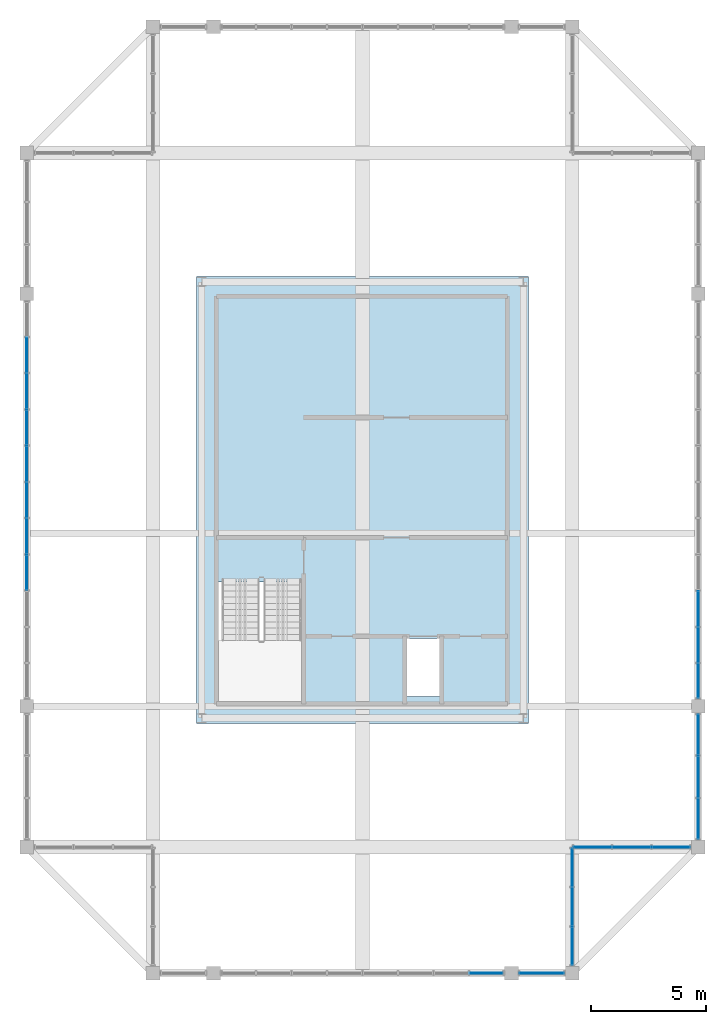
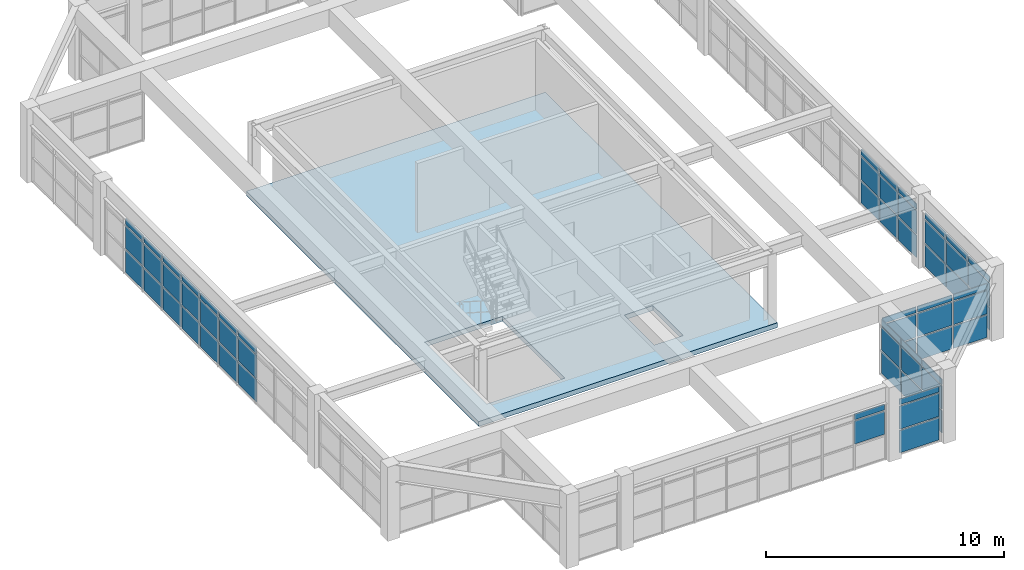
# One storey, part 24 of 28: 62 plates, 1 slab, 7 elements without a shape of their own.
"""IFC4 building model written with IfcOpenShell, lengths in metres."""

from ifc_helpers import new_model, si_unit, direction, frame, origin, origin_2d, place, context, subcontext, project, spatial, polyline, rectangle, outline, extrude, source, transform, mapped, material, layer, layer_set, type_object, element, aggregate, save


model = new_model("IFC4")

# Units and contexts
model_context = context("Model", 3, precision=1e-05, world=origin(), true_north=direction((0.0, 1.0)))
body_context = subcontext(model_context, "Body", "Model", "MODEL_VIEW")
ifc_project = project(units=[si_unit("LENGTHUNIT", "METRE"), si_unit("AREAUNIT", "SQUARE_METRE"), si_unit("VOLUMEUNIT", "CUBIC_METRE"), si_unit("PLANEANGLEUNIT", "RADIAN"), si_unit("MASSUNIT", "GRAM", prefix="KILO")], contexts=[model_context])

# Site, building, storey
site_placement = place(None, origin())
site = spatial("IfcSite", under=ifc_project, at=site_placement, CompositionType="ELEMENT")
building_placement = place(site_placement, origin())
building = spatial("IfcBuilding", under=site, at=building_placement, Name="Saelheon Loggia Tower", CompositionType="ELEMENT")
storey_placement = place(building_placement, frame((0.0, 0.0, 271.199951171875)))
storey = spatial("IfcBuildingStorey", under=building, at=storey_placement, Name="CR6", CompositionType="ELEMENT", Elevation=271.199951171875)

# Slab
ifc_material_1 = material(Name="Concrete C45/55", Category="concrete")
ifc_layer_1 = layer(ifc_material_1, 0.25)
ifc_layer_set_1 = layer_set([ifc_layer_1], Name="Concrete C45/55")
slab_type = type_object("IfcSlabType", Name="Slab_CrownDeck_250", PredefinedType="FLOOR", material=ifc_layer_set_1)
slab_placement = place(storey_placement, frame((0.0, 0.0, -0.25)))
element("IfcSlab", 1, at=slab_placement, inside=storey, type_object=slab_type, Name="CR6 Crown Mechanical Plant Platform", PredefinedType="FLOOR", context=body_context, shape_type="SweptSolid", body=[
    extrude(outline(polyline([(30.75, 17.25), (45.25, 17.25), (45.25, 36.75), (30.75, 36.75), (30.75, 17.25)]), holes=[polyline([(31.699951171875, 23.429931640625), (31.699951171875, 18.199951171875), (35.47998046875, 18.199951171875), (35.47998046875, 23.429931640625), (31.699951171875, 23.429931640625)]), polyline([(39.949951171875, 18.419921875), (41.35009765625, 18.419921875), (41.35009765625, 20.949951171875), (39.949951171875, 20.949951171875), (39.949951171875, 18.419921875)])]), origin(), (0.0, 0.0, 1.0), 0.25),
])

# Curtain wall, plates
ifc_material_2 = material(Name="Bronze-Anodised Aluminium and Fritted Ceramic Screen", Category="aluminium")
ifc_layer_2 = layer(ifc_material_2, 0.219970703125)
ifc_layer_set_2 = layer_set([ifc_layer_2], Name="Bronze-Anodised Aluminium and Fritted Ceramic Screen")
curtain_wall_type = type_object("IfcCurtainWallType", Name="CW_CrownScreen", PredefinedType="NOTDEFINED", material=ifc_layer_set_2)
curtain_wall_1_placement = place(storey_placement, origin())
curtain_wall_1 = element("IfcCurtainWall", 2, at=curtain_wall_1_placement, inside=storey, type_object=curtain_wall_type, Name="CR6 Crown Screen Curtain Wall 0-3", PredefinedType="NOTDEFINED")
ifc_material_3 = material(Name="Bronze Ceramic Fritted Spandrel Panel", Category="aluminium")
ifc_layer_3 = layer(ifc_material_3, 0.0380859375)
ifc_layer_set_3 = layer_set([ifc_layer_3], Name="Bronze Ceramic Fritted Spandrel Panel")
plate_type = type_object("IfcPlateType", Name="CW_CrownScreen_Panel", PredefinedType="CURTAIN_PANEL", material=ifc_layer_set_3)
shared_shape_1 = source(origin(), body_context, "Body", "SweptSolid", [
    extrude(rectangle(XDim=1.909912109375, YDim=0.0380859375, at=origin_2d()), origin(), (0.0, 0.0, 1.0), 1.14501953125),
])
plate_1_placement = place(storey_placement, frame((45.824951171875, 6.35009765625, 0.070068359375), z_axis=(0.0, 0.0, 1.0), x_axis=(1.0, 0.0, 0.0)))
plate_1 = element("IfcPlate", 3, at=plate_1_placement, type_object=plate_type, Name="CW6 panel 1.1", PredefinedType="CURTAIN_PANEL", context=body_context, shape_type="MappedRepresentation", body=[
    mapped(shared_shape_1, transform((0.0, 0.0, 0.0), scale=1.0)),
])
shared_shape_2 = source(origin(), body_context, "Body", "SweptSolid", [
    extrude(rectangle(XDim=1.909912109375, YDim=0.0380859375, at=origin_2d()), origin(), (0.0, 0.0, 1.0), 1.179931640625),
])
plate_2_placement = place(storey_placement, frame((45.824951171875, 6.35009765625, 1.28515625), z_axis=(0.0, 0.0, 1.0), x_axis=(1.0, 0.0, 0.0)))
plate_2 = element("IfcPlate", 4, at=plate_2_placement, type_object=plate_type, Name="CW6 panel 1.2", PredefinedType="CURTAIN_PANEL", context=body_context, shape_type="MappedRepresentation", body=[
    mapped(shared_shape_2, transform((0.0, 0.0, 0.0), scale=1.0)),
])
shared_shape_3 = source(origin(), body_context, "Body", "SweptSolid", [
    extrude(rectangle(XDim=1.909912109375, YDim=0.0380859375, at=origin_2d()), origin(), (0.0, 0.0, 1.0), 0.294921875),
])
plate_3_placement = place(storey_placement, frame((45.824951171875, 6.35009765625, 2.53515625), z_axis=(0.0, 0.0, 1.0), x_axis=(1.0, 0.0, 0.0)))
plate_3 = element("IfcPlate", 5, at=plate_3_placement, type_object=plate_type, Name="CW6 panel 1.3", PredefinedType="CURTAIN_PANEL", context=body_context, shape_type="MappedRepresentation", body=[
    mapped(shared_shape_3, transform((0.0, 0.0, 0.0), scale=1.0)),
])
aggregate(curtain_wall_1, [plate_1, plate_2, plate_3])

curtain_wall_2_placement = place(storey_placement, origin())
curtain_wall_2 = element("IfcCurtainWall", 6, at=curtain_wall_2_placement, inside=storey, type_object=curtain_wall_type, Name="CR6 Crown Screen Curtain Wall 0-2", PredefinedType="NOTDEFINED")
shared_shape_4 = source(origin(), body_context, "Body", "SweptSolid", [
    extrude(rectangle(XDim=1.445068359375, YDim=0.0380859375, at=origin_2d()), origin(), (0.0, 0.0, 1.0), 1.179931640625),
])
plate_4_placement = place(storey_placement, frame((43.407470703125, 6.35009765625, 1.28515625), z_axis=(0.0, 0.0, 1.0), x_axis=(1.0, 0.0, 0.0)))
plate_4 = element("IfcPlate", 7, at=plate_4_placement, type_object=plate_type, Name="CW6 panel 8.2", PredefinedType="CURTAIN_PANEL", context=body_context, shape_type="MappedRepresentation", body=[
    mapped(shared_shape_4, transform((0.0, 0.0, 0.0), scale=1.0)),
])
shared_shape_5 = source(origin(), body_context, "Body", "SweptSolid", [
    extrude(rectangle(XDim=1.445068359375, YDim=0.0380859375, at=origin_2d()), origin(), (0.0, 0.0, 1.0), 0.294921875),
])
plate_5_placement = place(storey_placement, frame((43.407470703125, 6.35009765625, 2.53515625), z_axis=(0.0, 0.0, 1.0), x_axis=(1.0, 0.0, 0.0)))
plate_5 = element("IfcPlate", 8, at=plate_5_placement, type_object=plate_type, Name="CW6 panel 8.3", PredefinedType="CURTAIN_PANEL", context=body_context, shape_type="MappedRepresentation", body=[
    mapped(shared_shape_5, transform((0.0, 0.0, 0.0), scale=1.0)),
])
aggregate(curtain_wall_2, [plate_4, plate_5])

curtain_wall_3_placement = place(storey_placement, origin())
curtain_wall_3 = element("IfcCurtainWall", 9, at=curtain_wall_3_placement, inside=storey, type_object=curtain_wall_type, Name="CR6 Crown Screen Curtain Wall 1-1", PredefinedType="NOTDEFINED")
shared_shape_6 = source(origin(), body_context, "Body", "SweptSolid", [
    extrude(rectangle(XDim=1.62841796875, YDim=0.0380859375, at=origin_2d()), origin(), (0.0, 0.0, 1.0), 1.14501953125),
])
plate_6_placement = place(storey_placement, frame((47.14990234375, 7.5341796875, 0.070068359375), z_axis=(0.0, 0.0, 1.0), x_axis=(0.0, 1.0, 0.0)))
plate_6 = element("IfcPlate", 10, at=plate_6_placement, type_object=plate_type, Name="CW6 panel 1.1", PredefinedType="CURTAIN_PANEL", context=body_context, shape_type="MappedRepresentation", body=[
    mapped(shared_shape_6, transform((0.0, 0.0, 0.0), scale=1.0)),
])
plate_7_placement = place(storey_placement, frame((47.14990234375, 10.9658203125, 0.070068359375), z_axis=(0.0, 0.0, 1.0), x_axis=(0.0, 1.0, 0.0)))
plate_7 = element("IfcPlate", 11, at=plate_7_placement, type_object=plate_type, Name="CW6 panel 3.1", PredefinedType="CURTAIN_PANEL", context=body_context, shape_type="MappedRepresentation", body=[
    mapped(shared_shape_6, transform((0.0, 0.0, 0.0), scale=1.0)),
])

curtain_wall_4_placement = place(storey_placement, origin())
curtain_wall_4 = element("IfcCurtainWall", 12, at=curtain_wall_4_placement, inside=storey, type_object=curtain_wall_type, Name="CR6 Crown Screen Curtain Wall 2-1", PredefinedType="NOTDEFINED")
plate_8_placement = place(storey_placement, frame((48.0341796875, 11.85009765625, 0.070068359375), z_axis=(0.0, 0.0, 1.0), x_axis=(1.0, 0.0, 0.0)))
plate_8 = element("IfcPlate", 13, at=plate_8_placement, type_object=plate_type, Name="CW6 panel 1.1", PredefinedType="CURTAIN_PANEL", context=body_context, shape_type="MappedRepresentation", body=[
    mapped(shared_shape_6, transform((0.0, 0.0, 0.0), scale=1.0)),
])
plate_9_placement = place(storey_placement, frame((51.4658203125, 11.85009765625, 0.070068359375), z_axis=(0.0, 0.0, 1.0), x_axis=(1.0, 0.0, 0.0)))
plate_9 = element("IfcPlate", 14, at=plate_9_placement, type_object=plate_type, Name="CW6 panel 3.1", PredefinedType="CURTAIN_PANEL", context=body_context, shape_type="MappedRepresentation", body=[
    mapped(shared_shape_6, transform((0.0, 0.0, 0.0), scale=1.0)),
])

# Plate
shared_shape_7 = source(origin(), body_context, "Body", "SweptSolid", [
    extrude(rectangle(XDim=1.62841796875, YDim=0.0380859375, at=origin_2d()), origin(), (0.0, 0.0, 1.0), 1.179931640625),
])
plate_10_placement = place(storey_placement, frame((47.14990234375, 7.5341796875, 1.28515625), z_axis=(0.0, 0.0, 1.0), x_axis=(0.0, 1.0, 0.0)))
plate_10 = element("IfcPlate", 15, at=plate_10_placement, type_object=plate_type, Name="CW6 panel 1.2", PredefinedType="CURTAIN_PANEL", context=body_context, shape_type="MappedRepresentation", body=[
    mapped(shared_shape_7, transform((0.0, 0.0, 0.0), scale=1.0)),
])

plate_11_placement = place(storey_placement, frame((47.14990234375, 10.9658203125, 1.28515625), z_axis=(0.0, 0.0, 1.0), x_axis=(0.0, 1.0, 0.0)))
plate_11 = element("IfcPlate", 16, at=plate_11_placement, type_object=plate_type, Name="CW6 panel 3.2", PredefinedType="CURTAIN_PANEL", context=body_context, shape_type="MappedRepresentation", body=[
    mapped(shared_shape_7, transform((0.0, 0.0, 0.0), scale=1.0)),
])

plate_12_placement = place(storey_placement, frame((48.0341796875, 11.85009765625, 1.28515625), z_axis=(0.0, 0.0, 1.0), x_axis=(1.0, 0.0, 0.0)))
plate_12 = element("IfcPlate", 17, at=plate_12_placement, type_object=plate_type, Name="CW6 panel 1.2", PredefinedType="CURTAIN_PANEL", context=body_context, shape_type="MappedRepresentation", body=[
    mapped(shared_shape_7, transform((0.0, 0.0, 0.0), scale=1.0)),
])

plate_13_placement = place(storey_placement, frame((51.4658203125, 11.85009765625, 1.28515625), z_axis=(0.0, 0.0, 1.0), x_axis=(1.0, 0.0, 0.0)))
plate_13 = element("IfcPlate", 18, at=plate_13_placement, type_object=plate_type, Name="CW6 panel 3.2", PredefinedType="CURTAIN_PANEL", context=body_context, shape_type="MappedRepresentation", body=[
    mapped(shared_shape_7, transform((0.0, 0.0, 0.0), scale=1.0)),
])

shared_shape_8 = source(origin(), body_context, "Body", "SweptSolid", [
    extrude(rectangle(XDim=1.62841796875, YDim=0.0380859375, at=origin_2d()), origin(), (0.0, 0.0, 1.0), 0.294921875),
])
plate_14_placement = place(storey_placement, frame((47.14990234375, 7.5341796875, 2.53515625), z_axis=(0.0, 0.0, 1.0), x_axis=(0.0, 1.0, 0.0)))
plate_14 = element("IfcPlate", 19, at=plate_14_placement, type_object=plate_type, Name="CW6 panel 1.3", PredefinedType="CURTAIN_PANEL", context=body_context, shape_type="MappedRepresentation", body=[
    mapped(shared_shape_8, transform((0.0, 0.0, 0.0), scale=1.0)),
])

plate_15_placement = place(storey_placement, frame((47.14990234375, 10.9658203125, 2.53515625), z_axis=(0.0, 0.0, 1.0), x_axis=(0.0, 1.0, 0.0)))
plate_15 = element("IfcPlate", 20, at=plate_15_placement, type_object=plate_type, Name="CW6 panel 3.3", PredefinedType="CURTAIN_PANEL", context=body_context, shape_type="MappedRepresentation", body=[
    mapped(shared_shape_8, transform((0.0, 0.0, 0.0), scale=1.0)),
])

plate_16_placement = place(storey_placement, frame((48.0341796875, 11.85009765625, 2.53515625), z_axis=(0.0, 0.0, 1.0), x_axis=(1.0, 0.0, 0.0)))
plate_16 = element("IfcPlate", 21, at=plate_16_placement, type_object=plate_type, Name="CW6 panel 1.3", PredefinedType="CURTAIN_PANEL", context=body_context, shape_type="MappedRepresentation", body=[
    mapped(shared_shape_8, transform((0.0, 0.0, 0.0), scale=1.0)),
])

plate_17_placement = place(storey_placement, frame((51.4658203125, 11.85009765625, 2.53515625), z_axis=(0.0, 0.0, 1.0), x_axis=(1.0, 0.0, 0.0)))
plate_17 = element("IfcPlate", 22, at=plate_17_placement, type_object=plate_type, Name="CW6 panel 3.3", PredefinedType="CURTAIN_PANEL", context=body_context, shape_type="MappedRepresentation", body=[
    mapped(shared_shape_8, transform((0.0, 0.0, 0.0), scale=1.0)),
])

shared_shape_9 = source(origin(), body_context, "Body", "SweptSolid", [
    extrude(rectangle(XDim=1.663330078125, YDim=0.0380859375, at=origin_2d()), origin(), (0.0, 0.0, 1.0), 1.14501953125),
])
plate_18_placement = place(storey_placement, frame((47.14990234375, 9.25, 0.070068359375), z_axis=(0.0, 0.0, 1.0), x_axis=(0.0, 1.0, 0.0)))
plate_18 = element("IfcPlate", 23, at=plate_18_placement, type_object=plate_type, Name="CW6 panel 2.1", PredefinedType="CURTAIN_PANEL", context=body_context, shape_type="MappedRepresentation", body=[
    mapped(shared_shape_9, transform((0.0, 0.0, 0.0), scale=1.0)),
])

plate_19_placement = place(storey_placement, frame((49.75, 11.85009765625, 0.070068359375), z_axis=(0.0, 0.0, 1.0), x_axis=(1.0, 0.0, 0.0)))
plate_19 = element("IfcPlate", 24, at=plate_19_placement, type_object=plate_type, Name="CW6 panel 2.1", PredefinedType="CURTAIN_PANEL", context=body_context, shape_type="MappedRepresentation", body=[
    mapped(shared_shape_9, transform((0.0, 0.0, 0.0), scale=1.0)),
])

shared_shape_10 = source(origin(), body_context, "Body", "SweptSolid", [
    extrude(rectangle(XDim=1.663330078125, YDim=0.0380859375, at=origin_2d()), origin(), (0.0, 0.0, 1.0), 1.179931640625),
])
plate_20_placement = place(storey_placement, frame((47.14990234375, 9.25, 1.28515625), z_axis=(0.0, 0.0, 1.0), x_axis=(0.0, 1.0, 0.0)))
plate_20 = element("IfcPlate", 25, at=plate_20_placement, type_object=plate_type, Name="CW6 panel 2.2", PredefinedType="CURTAIN_PANEL", context=body_context, shape_type="MappedRepresentation", body=[
    mapped(shared_shape_10, transform((0.0, 0.0, 0.0), scale=1.0)),
])

plate_21_placement = place(storey_placement, frame((49.75, 11.85009765625, 1.28515625), z_axis=(0.0, 0.0, 1.0), x_axis=(1.0, 0.0, 0.0)))
plate_21 = element("IfcPlate", 26, at=plate_21_placement, type_object=plate_type, Name="CW6 panel 2.2", PredefinedType="CURTAIN_PANEL", context=body_context, shape_type="MappedRepresentation", body=[
    mapped(shared_shape_10, transform((0.0, 0.0, 0.0), scale=1.0)),
])

shared_shape_11 = source(origin(), body_context, "Body", "SweptSolid", [
    extrude(rectangle(XDim=1.663330078125, YDim=0.0380859375, at=origin_2d()), origin(), (0.0, 0.0, 1.0), 0.294921875),
])
plate_22_placement = place(storey_placement, frame((47.14990234375, 9.25, 2.53515625), z_axis=(0.0, 0.0, 1.0), x_axis=(0.0, 1.0, 0.0)))
plate_22 = element("IfcPlate", 27, at=plate_22_placement, type_object=plate_type, Name="CW6 panel 2.3", PredefinedType="CURTAIN_PANEL", context=body_context, shape_type="MappedRepresentation", body=[
    mapped(shared_shape_11, transform((0.0, 0.0, 0.0), scale=1.0)),
])

aggregate(curtain_wall_3, [plate_6, plate_10, plate_14, plate_18, plate_20, plate_22, plate_7, plate_11, plate_15])

plate_23_placement = place(storey_placement, frame((49.75, 11.85009765625, 2.53515625), z_axis=(0.0, 0.0, 1.0), x_axis=(1.0, 0.0, 0.0)))
plate_23 = element("IfcPlate", 28, at=plate_23_placement, type_object=plate_type, Name="CW6 panel 2.3", PredefinedType="CURTAIN_PANEL", context=body_context, shape_type="MappedRepresentation", body=[
    mapped(shared_shape_11, transform((0.0, 0.0, 0.0), scale=1.0)),
])

aggregate(curtain_wall_4, [plate_8, plate_12, plate_16, plate_19, plate_21, plate_23, plate_9, plate_13, plate_17])

# Curtain wall, plates
curtain_wall_5_placement = place(storey_placement, origin())
curtain_wall_5 = element("IfcCurtainWall", 29, at=curtain_wall_5_placement, inside=storey, type_object=curtain_wall_type, Name="CR6 Crown Screen Curtain Wall 3-1", PredefinedType="NOTDEFINED")
shared_shape_12 = source(origin(), body_context, "Body", "SweptSolid", [
    extrude(rectangle(XDim=1.7451171875, YDim=0.0380859375, at=origin_2d()), origin(), (0.0, 0.0, 1.0), 1.14501953125),
])
plate_24_placement = place(storey_placement, frame((52.64990234375, 13.092529296875, 0.070068359375), z_axis=(0.0, 0.0, 1.0), x_axis=(0.0, 1.0, 0.0)))
plate_24 = element("IfcPlate", 30, at=plate_24_placement, type_object=plate_type, Name="CW6 panel 1.1", PredefinedType="CURTAIN_PANEL", context=body_context, shape_type="MappedRepresentation", body=[
    mapped(shared_shape_12, transform((0.0, 0.0, 0.0), scale=1.0)),
])
plate_25_placement = place(storey_placement, frame((52.64990234375, 16.757568359375, 0.070068359375), z_axis=(0.0, 0.0, 1.0), x_axis=(0.0, 1.0, 0.0)))
plate_25 = element("IfcPlate", 31, at=plate_25_placement, type_object=plate_type, Name="CW6 panel 3.1", PredefinedType="CURTAIN_PANEL", context=body_context, shape_type="MappedRepresentation", body=[
    mapped(shared_shape_12, transform((0.0, 0.0, 0.0), scale=1.0)),
])
shared_shape_13 = source(origin(), body_context, "Body", "SweptSolid", [
    extrude(rectangle(XDim=1.7451171875, YDim=0.0380859375, at=origin_2d()), origin(), (0.0, 0.0, 1.0), 1.179931640625),
])
plate_26_placement = place(storey_placement, frame((52.64990234375, 13.092529296875, 1.28515625), z_axis=(0.0, 0.0, 1.0), x_axis=(0.0, 1.0, 0.0)))
plate_26 = element("IfcPlate", 32, at=plate_26_placement, type_object=plate_type, Name="CW6 panel 1.2", PredefinedType="CURTAIN_PANEL", context=body_context, shape_type="MappedRepresentation", body=[
    mapped(shared_shape_13, transform((0.0, 0.0, 0.0), scale=1.0)),
])
plate_27_placement = place(storey_placement, frame((52.64990234375, 16.757568359375, 1.28515625), z_axis=(0.0, 0.0, 1.0), x_axis=(0.0, 1.0, 0.0)))
plate_27 = element("IfcPlate", 33, at=plate_27_placement, type_object=plate_type, Name="CW6 panel 3.2", PredefinedType="CURTAIN_PANEL", context=body_context, shape_type="MappedRepresentation", body=[
    mapped(shared_shape_13, transform((0.0, 0.0, 0.0), scale=1.0)),
])
shared_shape_14 = source(origin(), body_context, "Body", "SweptSolid", [
    extrude(rectangle(XDim=1.7451171875, YDim=0.0380859375, at=origin_2d()), origin(), (0.0, 0.0, 1.0), 0.294921875),
])
plate_28_placement = place(storey_placement, frame((52.64990234375, 13.092529296875, 2.53515625), z_axis=(0.0, 0.0, 1.0), x_axis=(0.0, 1.0, 0.0)))
plate_28 = element("IfcPlate", 34, at=plate_28_placement, type_object=plate_type, Name="CW6 panel 1.3", PredefinedType="CURTAIN_PANEL", context=body_context, shape_type="MappedRepresentation", body=[
    mapped(shared_shape_14, transform((0.0, 0.0, 0.0), scale=1.0)),
])
plate_29_placement = place(storey_placement, frame((52.64990234375, 16.757568359375, 2.53515625), z_axis=(0.0, 0.0, 1.0), x_axis=(0.0, 1.0, 0.0)))
plate_29 = element("IfcPlate", 35, at=plate_29_placement, type_object=plate_type, Name="CW6 panel 3.3", PredefinedType="CURTAIN_PANEL", context=body_context, shape_type="MappedRepresentation", body=[
    mapped(shared_shape_14, transform((0.0, 0.0, 0.0), scale=1.0)),
])
shared_shape_15 = source(origin(), body_context, "Body", "SweptSolid", [
    extrude(rectangle(XDim=1.780029296875, YDim=0.0380859375, at=origin_2d()), origin(), (0.0, 0.0, 1.0), 1.14501953125),
])
plate_30_placement = place(storey_placement, frame((52.64990234375, 14.925048828125, 0.070068359375), z_axis=(0.0, 0.0, 1.0), x_axis=(0.0, 1.0, 0.0)))
plate_30 = element("IfcPlate", 36, at=plate_30_placement, type_object=plate_type, Name="CW6 panel 2.1", PredefinedType="CURTAIN_PANEL", context=body_context, shape_type="MappedRepresentation", body=[
    mapped(shared_shape_15, transform((0.0, 0.0, 0.0), scale=1.0)),
])
shared_shape_16 = source(origin(), body_context, "Body", "SweptSolid", [
    extrude(rectangle(XDim=1.780029296875, YDim=0.0380859375, at=origin_2d()), origin(), (0.0, 0.0, 1.0), 1.179931640625),
])
plate_31_placement = place(storey_placement, frame((52.64990234375, 14.925048828125, 1.28515625), z_axis=(0.0, 0.0, 1.0), x_axis=(0.0, 1.0, 0.0)))
plate_31 = element("IfcPlate", 37, at=plate_31_placement, type_object=plate_type, Name="CW6 panel 2.2", PredefinedType="CURTAIN_PANEL", context=body_context, shape_type="MappedRepresentation", body=[
    mapped(shared_shape_16, transform((0.0, 0.0, 0.0), scale=1.0)),
])
shared_shape_17 = source(origin(), body_context, "Body", "SweptSolid", [
    extrude(rectangle(XDim=1.780029296875, YDim=0.0380859375, at=origin_2d()), origin(), (0.0, 0.0, 1.0), 0.294921875),
])
plate_32_placement = place(storey_placement, frame((52.64990234375, 14.925048828125, 2.53515625), z_axis=(0.0, 0.0, 1.0), x_axis=(0.0, 1.0, 0.0)))
plate_32 = element("IfcPlate", 38, at=plate_32_placement, type_object=plate_type, Name="CW6 panel 2.3", PredefinedType="CURTAIN_PANEL", context=body_context, shape_type="MappedRepresentation", body=[
    mapped(shared_shape_17, transform((0.0, 0.0, 0.0), scale=1.0)),
])
aggregate(curtain_wall_5, [plate_24, plate_26, plate_28, plate_30, plate_31, plate_32, plate_25, plate_27, plate_29])

curtain_wall_6_placement = place(storey_placement, origin())
curtain_wall_6 = element("IfcCurtainWall", 39, at=curtain_wall_6_placement, inside=storey, type_object=curtain_wall_type, Name="CR6 Crown Screen Curtain Wall 3-2", PredefinedType="NOTDEFINED")
shared_shape_18 = source(origin(), body_context, "Body", "SweptSolid", [
    extrude(rectangle(XDim=1.476806640625, YDim=0.0380859375, at=origin_2d()), origin(), (0.0, 0.0, 1.0), 1.14501953125),
])
plate_33_placement = place(storey_placement, frame((52.64990234375, 19.1083984375, 0.070068359375), z_axis=(0.0, 0.0, 1.0), x_axis=(0.0, 1.0, 0.0)))
plate_33 = element("IfcPlate", 40, at=plate_33_placement, type_object=plate_type, Name="CW6 panel 1.1", PredefinedType="CURTAIN_PANEL", context=body_context, shape_type="MappedRepresentation", body=[
    mapped(shared_shape_18, transform((0.0, 0.0, 0.0), scale=1.0)),
])
shared_shape_19 = source(origin(), body_context, "Body", "SweptSolid", [
    extrude(rectangle(XDim=1.476806640625, YDim=0.0380859375, at=origin_2d()), origin(), (0.0, 0.0, 1.0), 1.179931640625),
])
plate_34_placement = place(storey_placement, frame((52.64990234375, 19.1083984375, 1.28515625), z_axis=(0.0, 0.0, 1.0), x_axis=(0.0, 1.0, 0.0)))
plate_34 = element("IfcPlate", 41, at=plate_34_placement, type_object=plate_type, Name="CW6 panel 1.2", PredefinedType="CURTAIN_PANEL", context=body_context, shape_type="MappedRepresentation", body=[
    mapped(shared_shape_19, transform((0.0, 0.0, 0.0), scale=1.0)),
])
shared_shape_20 = source(origin(), body_context, "Body", "SweptSolid", [
    extrude(rectangle(XDim=1.476806640625, YDim=0.0380859375, at=origin_2d()), origin(), (0.0, 0.0, 1.0), 0.294921875),
])
plate_35_placement = place(storey_placement, frame((52.64990234375, 19.1083984375, 2.53515625), z_axis=(0.0, 0.0, 1.0), x_axis=(0.0, 1.0, 0.0)))
plate_35 = element("IfcPlate", 42, at=plate_35_placement, type_object=plate_type, Name="CW6 panel 1.3", PredefinedType="CURTAIN_PANEL", context=body_context, shape_type="MappedRepresentation", body=[
    mapped(shared_shape_20, transform((0.0, 0.0, 0.0), scale=1.0)),
])
shared_shape_21 = source(origin(), body_context, "Body", "SweptSolid", [
    extrude(rectangle(XDim=1.51171875, YDim=0.0380859375, at=origin_2d()), origin(), (0.0, 0.0, 1.0), 1.14501953125),
])
plate_36_placement = place(storey_placement, frame((52.64990234375, 20.672607421875, 0.070068359375), z_axis=(0.0, 0.0, 1.0), x_axis=(0.0, 1.0, 0.0)))
plate_36 = element("IfcPlate", 43, at=plate_36_placement, type_object=plate_type, Name="CW6 panel 2.1", PredefinedType="CURTAIN_PANEL", context=body_context, shape_type="MappedRepresentation", body=[
    mapped(shared_shape_21, transform((0.0, 0.0, 0.0), scale=1.0)),
])
plate_37_placement = place(storey_placement, frame((52.64990234375, 22.254638671875, 0.070068359375), z_axis=(0.0, 0.0, 1.0), x_axis=(0.0, 1.0, 0.0)))
plate_37 = element("IfcPlate", 44, at=plate_37_placement, type_object=plate_type, Name="CW6 panel 3.1", PredefinedType="CURTAIN_PANEL", context=body_context, shape_type="MappedRepresentation", body=[
    mapped(shared_shape_21, transform((0.0, 0.0, 0.0), scale=1.0)),
])

curtain_wall_7_placement = place(storey_placement, origin())
curtain_wall_7 = element("IfcCurtainWall", 45, at=curtain_wall_7_placement, inside=storey, type_object=curtain_wall_type, Name="CR6 Crown Screen Curtain Wall 9-2", PredefinedType="NOTDEFINED")
plate_38_placement = place(storey_placement, frame((23.35009765625, 33.327392578125, 0.070068359375), z_axis=(0.0, 0.0, 1.0), x_axis=(0.0, -1.0, 0.0)))
plate_38 = element("IfcPlate", 46, at=plate_38_placement, type_object=plate_type, Name="CW6 panel 2.1", PredefinedType="CURTAIN_PANEL", context=body_context, shape_type="MappedRepresentation", body=[
    mapped(shared_shape_21, transform((0.0, 0.0, 0.0), scale=1.0)),
])
plate_39_placement = place(storey_placement, frame((23.35009765625, 31.745361328125, 0.070068359375), z_axis=(0.0, 0.0, 1.0), x_axis=(0.0, -1.0, 0.0)))
plate_39 = element("IfcPlate", 47, at=plate_39_placement, type_object=plate_type, Name="CW6 panel 3.1", PredefinedType="CURTAIN_PANEL", context=body_context, shape_type="MappedRepresentation", body=[
    mapped(shared_shape_21, transform((0.0, 0.0, 0.0), scale=1.0)),
])
plate_40_placement = place(storey_placement, frame((23.35009765625, 30.16357421875, 0.070068359375), z_axis=(0.0, 0.0, 1.0), x_axis=(0.0, -1.0, 0.0)))
plate_40 = element("IfcPlate", 48, at=plate_40_placement, type_object=plate_type, Name="CW6 panel 4.1", PredefinedType="CURTAIN_PANEL", context=body_context, shape_type="MappedRepresentation", body=[
    mapped(shared_shape_21, transform((0.0, 0.0, 0.0), scale=1.0)),
])
plate_41_placement = place(storey_placement, frame((23.35009765625, 28.581787109375, 0.070068359375), z_axis=(0.0, 0.0, 1.0), x_axis=(0.0, -1.0, 0.0)))
plate_41 = element("IfcPlate", 49, at=plate_41_placement, type_object=plate_type, Name="CW6 panel 5.1", PredefinedType="CURTAIN_PANEL", context=body_context, shape_type="MappedRepresentation", body=[
    mapped(shared_shape_21, transform((0.0, 0.0, 0.0), scale=1.0)),
])
plate_42_placement = place(storey_placement, frame((23.35009765625, 27.0, 0.070068359375), z_axis=(0.0, 0.0, 1.0), x_axis=(0.0, -1.0, 0.0)))
plate_42 = element("IfcPlate", 50, at=plate_42_placement, type_object=plate_type, Name="CW6 panel 6.1", PredefinedType="CURTAIN_PANEL", context=body_context, shape_type="MappedRepresentation", body=[
    mapped(shared_shape_21, transform((0.0, 0.0, 0.0), scale=1.0)),
])
plate_43_placement = place(storey_placement, frame((23.35009765625, 25.418212890625, 0.070068359375), z_axis=(0.0, 0.0, 1.0), x_axis=(0.0, -1.0, 0.0)))
plate_43 = element("IfcPlate", 51, at=plate_43_placement, type_object=plate_type, Name="CW6 panel 7.1", PredefinedType="CURTAIN_PANEL", context=body_context, shape_type="MappedRepresentation", body=[
    mapped(shared_shape_21, transform((0.0, 0.0, 0.0), scale=1.0)),
])
plate_44_placement = place(storey_placement, frame((23.35009765625, 23.83642578125, 0.070068359375), z_axis=(0.0, 0.0, 1.0), x_axis=(0.0, -1.0, 0.0)))
plate_44 = element("IfcPlate", 52, at=plate_44_placement, type_object=plate_type, Name="CW6 panel 8.1", PredefinedType="CURTAIN_PANEL", context=body_context, shape_type="MappedRepresentation", body=[
    mapped(shared_shape_21, transform((0.0, 0.0, 0.0), scale=1.0)),
])

# Plate
shared_shape_22 = source(origin(), body_context, "Body", "SweptSolid", [
    extrude(rectangle(XDim=1.51171875, YDim=0.0380859375, at=origin_2d()), origin(), (0.0, 0.0, 1.0), 1.179931640625),
])
plate_45_placement = place(storey_placement, frame((52.64990234375, 20.672607421875, 1.28515625), z_axis=(0.0, 0.0, 1.0), x_axis=(0.0, 1.0, 0.0)))
plate_45 = element("IfcPlate", 53, at=plate_45_placement, type_object=plate_type, Name="CW6 panel 2.2", PredefinedType="CURTAIN_PANEL", context=body_context, shape_type="MappedRepresentation", body=[
    mapped(shared_shape_22, transform((0.0, 0.0, 0.0), scale=1.0)),
])

plate_46_placement = place(storey_placement, frame((52.64990234375, 22.254638671875, 1.28515625), z_axis=(0.0, 0.0, 1.0), x_axis=(0.0, 1.0, 0.0)))
plate_46 = element("IfcPlate", 54, at=plate_46_placement, type_object=plate_type, Name="CW6 panel 3.2", PredefinedType="CURTAIN_PANEL", context=body_context, shape_type="MappedRepresentation", body=[
    mapped(shared_shape_22, transform((0.0, 0.0, 0.0), scale=1.0)),
])

plate_47_placement = place(storey_placement, frame((23.35009765625, 33.327392578125, 1.28515625), z_axis=(0.0, 0.0, 1.0), x_axis=(0.0, -1.0, 0.0)))
plate_47 = element("IfcPlate", 55, at=plate_47_placement, type_object=plate_type, Name="CW6 panel 2.2", PredefinedType="CURTAIN_PANEL", context=body_context, shape_type="MappedRepresentation", body=[
    mapped(shared_shape_22, transform((0.0, 0.0, 0.0), scale=1.0)),
])

plate_48_placement = place(storey_placement, frame((23.35009765625, 31.745361328125, 1.28515625), z_axis=(0.0, 0.0, 1.0), x_axis=(0.0, -1.0, 0.0)))
plate_48 = element("IfcPlate", 56, at=plate_48_placement, type_object=plate_type, Name="CW6 panel 3.2", PredefinedType="CURTAIN_PANEL", context=body_context, shape_type="MappedRepresentation", body=[
    mapped(shared_shape_22, transform((0.0, 0.0, 0.0), scale=1.0)),
])

plate_49_placement = place(storey_placement, frame((23.35009765625, 30.16357421875, 1.28515625), z_axis=(0.0, 0.0, 1.0), x_axis=(0.0, -1.0, 0.0)))
plate_49 = element("IfcPlate", 57, at=plate_49_placement, type_object=plate_type, Name="CW6 panel 4.2", PredefinedType="CURTAIN_PANEL", context=body_context, shape_type="MappedRepresentation", body=[
    mapped(shared_shape_22, transform((0.0, 0.0, 0.0), scale=1.0)),
])

plate_50_placement = place(storey_placement, frame((23.35009765625, 28.581787109375, 1.28515625), z_axis=(0.0, 0.0, 1.0), x_axis=(0.0, -1.0, 0.0)))
plate_50 = element("IfcPlate", 58, at=plate_50_placement, type_object=plate_type, Name="CW6 panel 5.2", PredefinedType="CURTAIN_PANEL", context=body_context, shape_type="MappedRepresentation", body=[
    mapped(shared_shape_22, transform((0.0, 0.0, 0.0), scale=1.0)),
])

plate_51_placement = place(storey_placement, frame((23.35009765625, 27.0, 1.28515625), z_axis=(0.0, 0.0, 1.0), x_axis=(0.0, -1.0, 0.0)))
plate_51 = element("IfcPlate", 59, at=plate_51_placement, type_object=plate_type, Name="CW6 panel 6.2", PredefinedType="CURTAIN_PANEL", context=body_context, shape_type="MappedRepresentation", body=[
    mapped(shared_shape_22, transform((0.0, 0.0, 0.0), scale=1.0)),
])

plate_52_placement = place(storey_placement, frame((23.35009765625, 25.418212890625, 1.28515625), z_axis=(0.0, 0.0, 1.0), x_axis=(0.0, -1.0, 0.0)))
plate_52 = element("IfcPlate", 60, at=plate_52_placement, type_object=plate_type, Name="CW6 panel 7.2", PredefinedType="CURTAIN_PANEL", context=body_context, shape_type="MappedRepresentation", body=[
    mapped(shared_shape_22, transform((0.0, 0.0, 0.0), scale=1.0)),
])

plate_53_placement = place(storey_placement, frame((23.35009765625, 23.83642578125, 1.28515625), z_axis=(0.0, 0.0, 1.0), x_axis=(0.0, -1.0, 0.0)))
plate_53 = element("IfcPlate", 61, at=plate_53_placement, type_object=plate_type, Name="CW6 panel 8.2", PredefinedType="CURTAIN_PANEL", context=body_context, shape_type="MappedRepresentation", body=[
    mapped(shared_shape_22, transform((0.0, 0.0, 0.0), scale=1.0)),
])

shared_shape_23 = source(origin(), body_context, "Body", "SweptSolid", [
    extrude(rectangle(XDim=1.51171875, YDim=0.0380859375, at=origin_2d()), origin(), (0.0, 0.0, 1.0), 0.294921875),
])
plate_54_placement = place(storey_placement, frame((52.64990234375, 20.672607421875, 2.53515625), z_axis=(0.0, 0.0, 1.0), x_axis=(0.0, 1.0, 0.0)))
plate_54 = element("IfcPlate", 62, at=plate_54_placement, type_object=plate_type, Name="CW6 panel 2.3", PredefinedType="CURTAIN_PANEL", context=body_context, shape_type="MappedRepresentation", body=[
    mapped(shared_shape_23, transform((0.0, 0.0, 0.0), scale=1.0)),
])

plate_55_placement = place(storey_placement, frame((52.64990234375, 22.254638671875, 2.53515625), z_axis=(0.0, 0.0, 1.0), x_axis=(0.0, 1.0, 0.0)))
plate_55 = element("IfcPlate", 63, at=plate_55_placement, type_object=plate_type, Name="CW6 panel 3.3", PredefinedType="CURTAIN_PANEL", context=body_context, shape_type="MappedRepresentation", body=[
    mapped(shared_shape_23, transform((0.0, 0.0, 0.0), scale=1.0)),
])

aggregate(curtain_wall_6, [plate_33, plate_34, plate_35, plate_36, plate_45, plate_54, plate_37, plate_46, plate_55])

plate_56_placement = place(storey_placement, frame((23.35009765625, 33.327392578125, 2.53515625), z_axis=(0.0, 0.0, 1.0), x_axis=(0.0, -1.0, 0.0)))
plate_56 = element("IfcPlate", 64, at=plate_56_placement, type_object=plate_type, Name="CW6 panel 2.3", PredefinedType="CURTAIN_PANEL", context=body_context, shape_type="MappedRepresentation", body=[
    mapped(shared_shape_23, transform((0.0, 0.0, 0.0), scale=1.0)),
])

plate_57_placement = place(storey_placement, frame((23.35009765625, 31.745361328125, 2.53515625), z_axis=(0.0, 0.0, 1.0), x_axis=(0.0, -1.0, 0.0)))
plate_57 = element("IfcPlate", 65, at=plate_57_placement, type_object=plate_type, Name="CW6 panel 3.3", PredefinedType="CURTAIN_PANEL", context=body_context, shape_type="MappedRepresentation", body=[
    mapped(shared_shape_23, transform((0.0, 0.0, 0.0), scale=1.0)),
])

plate_58_placement = place(storey_placement, frame((23.35009765625, 30.16357421875, 2.53515625), z_axis=(0.0, 0.0, 1.0), x_axis=(0.0, -1.0, 0.0)))
plate_58 = element("IfcPlate", 66, at=plate_58_placement, type_object=plate_type, Name="CW6 panel 4.3", PredefinedType="CURTAIN_PANEL", context=body_context, shape_type="MappedRepresentation", body=[
    mapped(shared_shape_23, transform((0.0, 0.0, 0.0), scale=1.0)),
])

plate_59_placement = place(storey_placement, frame((23.35009765625, 28.581787109375, 2.53515625), z_axis=(0.0, 0.0, 1.0), x_axis=(0.0, -1.0, 0.0)))
plate_59 = element("IfcPlate", 67, at=plate_59_placement, type_object=plate_type, Name="CW6 panel 5.3", PredefinedType="CURTAIN_PANEL", context=body_context, shape_type="MappedRepresentation", body=[
    mapped(shared_shape_23, transform((0.0, 0.0, 0.0), scale=1.0)),
])

plate_60_placement = place(storey_placement, frame((23.35009765625, 27.0, 2.53515625), z_axis=(0.0, 0.0, 1.0), x_axis=(0.0, -1.0, 0.0)))
plate_60 = element("IfcPlate", 68, at=plate_60_placement, type_object=plate_type, Name="CW6 panel 6.3", PredefinedType="CURTAIN_PANEL", context=body_context, shape_type="MappedRepresentation", body=[
    mapped(shared_shape_23, transform((0.0, 0.0, 0.0), scale=1.0)),
])

plate_61_placement = place(storey_placement, frame((23.35009765625, 25.418212890625, 2.53515625), z_axis=(0.0, 0.0, 1.0), x_axis=(0.0, -1.0, 0.0)))
plate_61 = element("IfcPlate", 69, at=plate_61_placement, type_object=plate_type, Name="CW6 panel 7.3", PredefinedType="CURTAIN_PANEL", context=body_context, shape_type="MappedRepresentation", body=[
    mapped(shared_shape_23, transform((0.0, 0.0, 0.0), scale=1.0)),
])

plate_62_placement = place(storey_placement, frame((23.35009765625, 23.83642578125, 2.53515625), z_axis=(0.0, 0.0, 1.0), x_axis=(0.0, -1.0, 0.0)))
plate_62 = element("IfcPlate", 70, at=plate_62_placement, type_object=plate_type, Name="CW6 panel 8.3", PredefinedType="CURTAIN_PANEL", context=body_context, shape_type="MappedRepresentation", body=[
    mapped(shared_shape_23, transform((0.0, 0.0, 0.0), scale=1.0)),
])

aggregate(curtain_wall_7, [plate_38, plate_47, plate_56, plate_39, plate_48, plate_57, plate_40, plate_49, plate_58, plate_41, plate_50, plate_59, plate_42, plate_51, plate_60, plate_43, plate_52, plate_61, plate_44, plate_53, plate_62])

save(model, "model.ifc")
